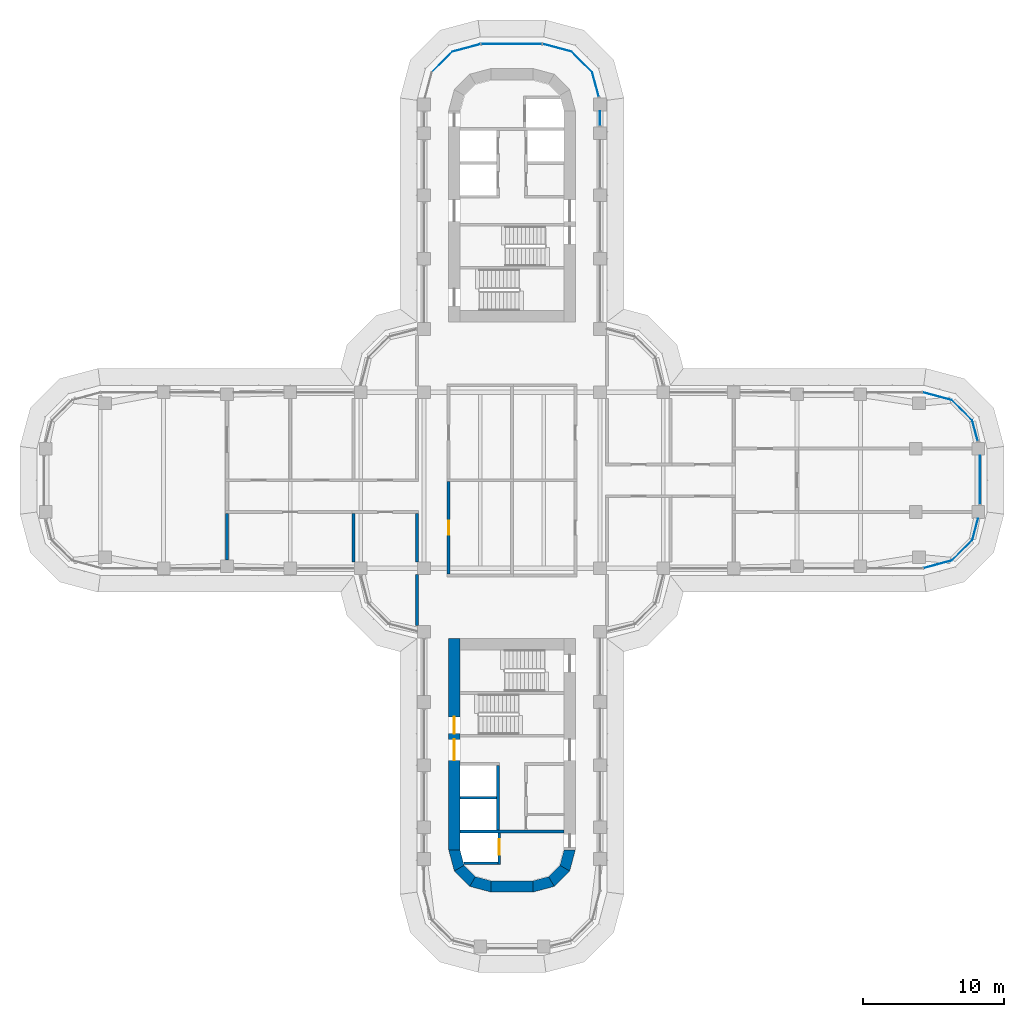
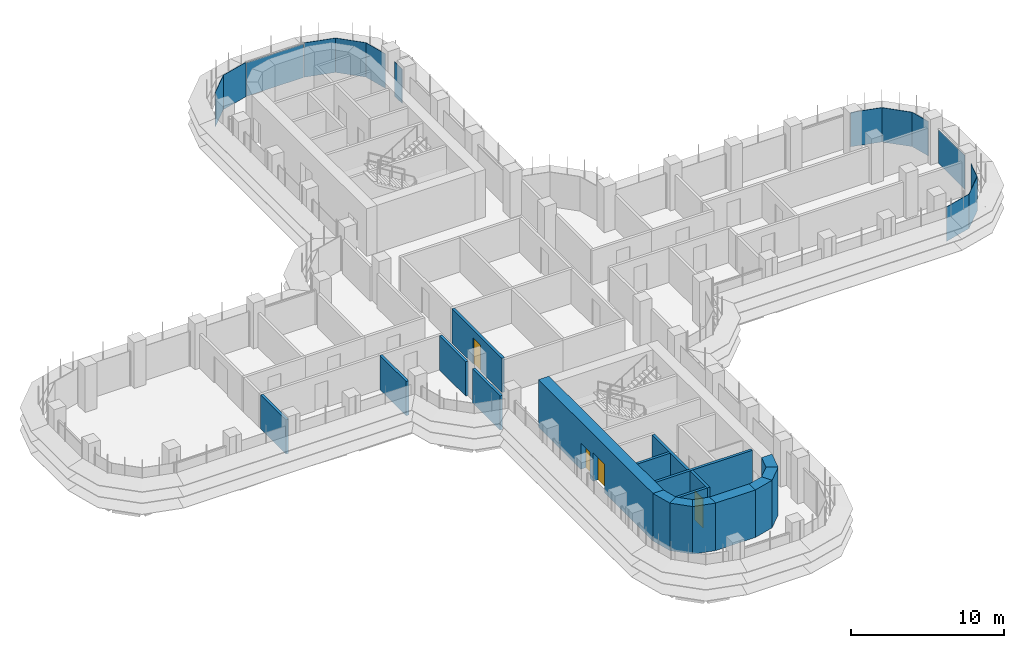
# One storey, part 15 of 22: 18 walls, 14 plates, 4 doors, 4 openings, 14 elements without a shape of their own.
"""IFC4 building model written with IfcOpenShell, lengths in metres."""

from ifc_helpers import new_model, si_unit, direction, frame, frame_2d, origin, place, context, subcontext, project, spatial, polyline, rectangle, outline, extrude, source, transform, mapped, material, layer, layer_set, type_object, element, fill, aggregate, save


model = new_model("IFC4")

# Units and contexts
model_context = context("Model", 3, precision=1e-05, world=origin(), true_north=direction((0.0, 1.0)))
body_context = subcontext(model_context, "Body", "Model", "MODEL_VIEW")
ifc_project = project(units=[si_unit("LENGTHUNIT", "METRE"), si_unit("AREAUNIT", "SQUARE_METRE"), si_unit("VOLUMEUNIT", "CUBIC_METRE"), si_unit("PLANEANGLEUNIT", "RADIAN"), si_unit("MASSUNIT", "GRAM", prefix="KILO")], contexts=[model_context])

# Site, building, storey
site_placement = place(None, origin())
site = spatial("IfcSite", under=ifc_project, at=site_placement, CompositionType="ELEMENT")
building_placement = place(site_placement, origin())
building = spatial("IfcBuilding", under=site, at=building_placement, Name="Zarbagh Exchange Tower", CompositionType="ELEMENT")
storey_placement = place(building_placement, frame((0.0, 0.0, 109.39990234375)))
storey = spatial("IfcBuildingStorey", under=building, at=storey_placement, Name="L25", CompositionType="ELEMENT", Elevation=109.39990234375)

# Curtain wall, plate
ifc_material_1 = material(Name="Anodised aluminium frame and glazing", Category="aluminium")
curtain_wall_type = type_object("IfcCurtainWallType", Name="CWA Ribbon glazing, lower zones", PredefinedType="NOTDEFINED", material=ifc_material_1)
curtain_wall_1_placement = place(storey_placement, origin())
curtain_wall_1 = element("IfcCurtainWall", 1, at=curtain_wall_1_placement, inside=storey, type_object=curtain_wall_type, Name="CWA13 curtain wall", PredefinedType="NOTDEFINED")
ifc_material_2 = material(Name="Low-e double glazed unit, 6+12+6 mm")
ifc_layer_1 = layer(ifc_material_2, 0.028076171875)
ifc_layer_set_1 = layer_set([ifc_layer_1], Name="PAA Glazing panel, Low-e double glazed unit, 6+12+6 mm")
plate_type = type_object("IfcPlateType", Name="PAA Glazing panel, Low-e double glazed unit, 6+12+6 mm", PredefinedType="CURTAIN_PANEL", material=ifc_layer_set_1)
shared_shape_1 = source(origin(), body_context, "Body", "SweptSolid", [
    extrude(outline(polyline([(0.0, -0.013916015625), (1.494140625, -0.013916015625), (1.494140625, 0.013916015625), (0.0, 0.013916015625), (0.0, -0.013916015625)])), origin(), (0.0, 0.0, 1.0), 2.75),
])
placement = place(storey_placement, origin())
plate_1 = element("IfcPlate", 2, at=placement, type_object=plate_type, Name="CWA13 glazing panel 1.1", PredefinedType="CURTAIN_PANEL", context=body_context, shape_type="MappedRepresentation", body=[
    mapped(shared_shape_1, transform((33.08544921875, 2.7978515625, 0.0), x_axis=(-0.258824779902, 0.965924289636, 0.0), y_axis=(-0.965924289636, -0.258824779902, 0.0), z_axis=(0.0, 0.0, 1.0))),
])
aggregate(curtain_wall_1, [plate_1])

curtain_wall_2_placement = place(storey_placement, origin())
curtain_wall_2 = element("IfcCurtainWall", 3, at=curtain_wall_2_placement, inside=storey, type_object=curtain_wall_type, Name="CWA10 curtain wall", PredefinedType="NOTDEFINED")
shared_shape_2 = source(origin(), body_context, "Body", "SweptSolid", [
    extrude(outline(polyline([(0.0, -0.013916015625), (2.061279296875, -0.013916015625), (2.061279296875, 0.013916015625), (0.0, 0.013916015625), (0.0, -0.013916015625)])), origin(), (0.0, 0.0, 1.0), 2.75),
])
plate_2 = element("IfcPlate", 4, at=placement, type_object=plate_type, Name="CWA10 glazing panel 1.1", PredefinedType="CURTAIN_PANEL", context=body_context, shape_type="MappedRepresentation", body=[
    mapped(shared_shape_2, transform((31.2412109375, -5.69873046875, 0.0), x_axis=(0.707106781187, 0.707106781187, 0.0), y_axis=(-0.707106781187, 0.707106781187, 0.0), z_axis=(0.0, 0.0, 1.0))),
])
aggregate(curtain_wall_2, [plate_2])

curtain_wall_3_placement = place(storey_placement, origin())
curtain_wall_3 = element("IfcCurtainWall", 5, at=curtain_wall_3_placement, inside=storey, type_object=curtain_wall_type, Name="CWA14 curtain wall", PredefinedType="NOTDEFINED")
plate_3 = element("IfcPlate", 6, at=placement, type_object=plate_type, Name="CWA14 glazing panel 1.1", PredefinedType="CURTAIN_PANEL", context=body_context, shape_type="MappedRepresentation", body=[
    mapped(shared_shape_2, transform((32.69873046875, 4.2412109375, 0.0), x_axis=(-0.707106781187, 0.707106781187, 0.0), y_axis=(-0.707106781187, -0.707106781187, 0.0), z_axis=(0.0, 0.0, 1.0))),
])
aggregate(curtain_wall_3, [plate_3])

curtain_wall_4_placement = place(storey_placement, origin())
curtain_wall_4 = element("IfcCurtainWall", 7, at=curtain_wall_4_placement, inside=storey, type_object=curtain_wall_type, Name="CWA51 curtain wall", PredefinedType="NOTDEFINED")
plate_4 = element("IfcPlate", 8, at=placement, type_object=plate_type, Name="CWA51 glazing panel 1.1", PredefinedType="CURTAIN_PANEL", context=body_context, shape_type="MappedRepresentation", body=[
    mapped(shared_shape_2, transform((5.69873046875, 28.9912109375, 0.0), x_axis=(-0.707106781187, 0.707106781187, 0.0), y_axis=(-0.707106781187, -0.707106781187, 0.0), z_axis=(0.0, 0.0, 1.0))),
])
aggregate(curtain_wall_4, [plate_4])

curtain_wall_5_placement = place(storey_placement, origin())
curtain_wall_5 = element("IfcCurtainWall", 9, at=curtain_wall_5_placement, inside=storey, type_object=curtain_wall_type, Name="CWA54 curtain wall", PredefinedType="NOTDEFINED")
plate_5 = element("IfcPlate", 10, at=placement, type_object=plate_type, Name="CWA54 glazing panel 1.1", PredefinedType="CURTAIN_PANEL", context=body_context, shape_type="MappedRepresentation", body=[
    mapped(shared_shape_2, transform((-4.2412109375, 30.44873046875, 0.0), x_axis=(-0.707106781187, -0.707106781187, 0.0), y_axis=(0.707106781187, -0.707106781187, 0.0), z_axis=(0.0, 0.0, 1.0))),
])
aggregate(curtain_wall_5, [plate_5])

curtain_wall_6_placement = place(storey_placement, origin())
curtain_wall_6 = element("IfcCurtainWall", 11, at=curtain_wall_6_placement, inside=storey, type_object=curtain_wall_type, Name="CWA15 curtain wall", PredefinedType="NOTDEFINED")
shared_shape_3 = source(origin(), body_context, "Body", "SweptSolid", [
    extrude(outline(polyline([(0.0, -0.013916015625), (2.129638671875, -0.013916015625), (2.129638671875, 0.013916015625), (0.0, 0.013916015625), (0.0, -0.013916015625)])), origin(), (0.0, 0.0, 1.0), 2.75),
])
plate_6 = element("IfcPlate", 12, at=placement, type_object=plate_type, Name="CWA15 glazing panel 1.1", PredefinedType="CURTAIN_PANEL", context=body_context, shape_type="MappedRepresentation", body=[
    mapped(shared_shape_3, transform((31.2412109375, 5.69873046875, 0.0), x_axis=(-0.965924289636, 0.258824779902, 0.0), y_axis=(-0.258824779902, -0.965924289636, 0.0), z_axis=(0.0, 0.0, 1.0))),
])
aggregate(curtain_wall_6, [plate_6])

curtain_wall_7_placement = place(storey_placement, origin())
curtain_wall_7 = element("IfcCurtainWall", 13, at=curtain_wall_7_placement, inside=storey, type_object=curtain_wall_type, Name="CWA52 curtain wall", PredefinedType="NOTDEFINED")
plate_7 = element("IfcPlate", 14, at=placement, type_object=plate_type, Name="CWA52 glazing panel 1.1", PredefinedType="CURTAIN_PANEL", context=body_context, shape_type="MappedRepresentation", body=[
    mapped(shared_shape_3, transform((4.2412109375, 30.44873046875, 0.0), x_axis=(-0.965924289636, 0.258824779902, 0.0), y_axis=(-0.258824779902, -0.965924289636, 0.0), z_axis=(0.0, 0.0, 1.0))),
])
aggregate(curtain_wall_7, [plate_7])

curtain_wall_8_placement = place(storey_placement, origin())
curtain_wall_8 = element("IfcCurtainWall", 15, at=curtain_wall_8_placement, inside=storey, type_object=curtain_wall_type, Name="CWA09 curtain wall", PredefinedType="NOTDEFINED")
shared_shape_4 = source(origin(), body_context, "Body", "SweptSolid", [
    extrude(outline(polyline([(0.0, -0.013916015625), (2.069580078125, -0.013916015625), (2.069580078125, 0.013916015625), (0.0, 0.013916015625), (0.0, -0.013916015625)])), origin(), (0.0, 0.0, 1.0), 2.75),
])
plate_8 = element("IfcPlate", 16, at=placement, type_object=plate_type, Name="CWA09 glazing panel 1.1", PredefinedType="CURTAIN_PANEL", context=body_context, shape_type="MappedRepresentation", body=[
    mapped(shared_shape_4, transform((29.2421875, -6.234375, 0.0), x_axis=(0.965924289636, 0.258824779902, 0.0), y_axis=(-0.258824779902, 0.965924289636, 0.0), z_axis=(0.0, 0.0, 1.0))),
])
aggregate(curtain_wall_8, [plate_8])

curtain_wall_9_placement = place(storey_placement, origin())
curtain_wall_9 = element("IfcCurtainWall", 17, at=curtain_wall_9_placement, inside=storey, type_object=curtain_wall_type, Name="CWA53 curtain wall", PredefinedType="NOTDEFINED")
plate_9 = element("IfcPlate", 18, at=placement, type_object=plate_type, Name="CWA53 glazing panel 1.1", PredefinedType="CURTAIN_PANEL", context=body_context, shape_type="MappedRepresentation", body=[
    mapped(shared_shape_4, transform((-2.2421875, 30.984375, 0.0), x_axis=(-0.965924289636, -0.258824779902, 0.0), y_axis=(0.258824779902, -0.965924289636, 0.0), z_axis=(0.0, 0.0, 1.0))),
])
aggregate(curtain_wall_9, [plate_9])

curtain_wall_10_placement = place(storey_placement, origin())
curtain_wall_10 = element("IfcCurtainWall", 19, at=curtain_wall_10_placement, inside=storey, type_object=curtain_wall_type, Name="CWA11 curtain wall", PredefinedType="NOTDEFINED")
shared_shape_5 = source(origin(), body_context, "Body", "SweptSolid", [
    extrude(outline(polyline([(0.0, -0.013916015625), (1.55419921875, -0.013916015625), (1.55419921875, 0.013916015625), (0.0, 0.013916015625), (0.0, -0.013916015625)])), origin(), (0.0, 0.0, 1.0), 2.75),
])
plate_10 = element("IfcPlate", 20, at=placement, type_object=plate_type, Name="CWA11 glazing panel 1.1", PredefinedType="CURTAIN_PANEL", context=body_context, shape_type="MappedRepresentation", body=[
    mapped(shared_shape_5, transform((32.69873046875, -4.2412109375, 0.0), x_axis=(0.258824779902, 0.965924289636, 0.0), y_axis=(-0.965924289636, 0.258824779902, 0.0), z_axis=(0.0, 0.0, 1.0))),
])
aggregate(curtain_wall_10, [plate_10])

curtain_wall_11_placement = place(storey_placement, origin())
curtain_wall_11 = element("IfcCurtainWall", 21, at=curtain_wall_11_placement, inside=storey, type_object=curtain_wall_type, Name="CWA12 curtain wall", PredefinedType="NOTDEFINED")
shared_shape_6 = source(origin(), body_context, "Body", "SweptSolid", [
    extrude(outline(polyline([(0.0, -0.013916015625), (3.4599609375, -0.013916015625), (3.4599609375, 0.013916015625), (0.0, 0.013916015625), (0.0, -0.013916015625)])), origin(), (0.0, 0.0, 1.0), 2.68994140625),
])
plate_11 = element("IfcPlate", 22, at=placement, type_object=plate_type, Name="CWA12 glazing panel 1.1", PredefinedType="CURTAIN_PANEL", context=body_context, shape_type="MappedRepresentation", body=[
    mapped(shared_shape_6, transform((33.25, -1.699951171875, 0.0), x_axis=(0.0, 1.0, 0.0), y_axis=(-1.0, 0.0, 0.0), z_axis=(0.0, 0.0, 1.0))),
])
aggregate(curtain_wall_11, [plate_11])

curtain_wall_12_placement = place(storey_placement, origin())
curtain_wall_12 = element("IfcCurtainWall", 23, at=curtain_wall_12_placement, inside=storey, type_object=curtain_wall_type, Name="CWA49 curtain wall", PredefinedType="NOTDEFINED")
shared_shape_7 = source(origin(), body_context, "Body", "SweptSolid", [
    extrude(outline(polyline([(0.0, -0.013916015625), (1.010009765625, -0.013916015625), (1.010009765625, 0.013916015625), (0.0, 0.013916015625), (0.0, -0.013916015625)])), origin(), (0.0, 0.0, 1.0), 2.75),
])
plate_12 = element("IfcPlate", 24, at=placement, type_object=plate_type, Name="CWA49 glazing panel 4.1", PredefinedType="CURTAIN_PANEL", context=body_context, shape_type="MappedRepresentation", body=[
    mapped(shared_shape_7, transform((6.25, 25.199951171875, 0.0), x_axis=(0.0, 1.0, 0.0), y_axis=(-1.0, 0.0, 0.0), z_axis=(0.0, 0.0, 1.0))),
])
aggregate(curtain_wall_12, [plate_12])

curtain_wall_13_placement = place(storey_placement, origin())
curtain_wall_13 = element("IfcCurtainWall", 25, at=curtain_wall_13_placement, inside=storey, type_object=curtain_wall_type, Name="CWA50 curtain wall", PredefinedType="NOTDEFINED")
shared_shape_8 = source(origin(), body_context, "Body", "SweptSolid", [
    extrude(outline(polyline([(0.0, -0.013916015625), (1.8046875, -0.013916015625), (1.8046875, 0.013916015625), (0.0, 0.013916015625), (0.0, -0.013916015625)])), origin(), (0.0, 0.0, 1.0), 2.75),
])
plate_13 = element("IfcPlate", 26, at=placement, type_object=plate_type, Name="CWA50 glazing panel 1.1", PredefinedType="CURTAIN_PANEL", context=body_context, shape_type="MappedRepresentation", body=[
    mapped(shared_shape_8, transform((6.166015625, 27.248046875, 0.0), x_axis=(-0.258824779902, 0.965924289636, 0.0), y_axis=(-0.965924289636, -0.258824779902, 0.0), z_axis=(0.0, 0.0, 1.0))),
])
aggregate(curtain_wall_13, [plate_13])

curtain_wall_14_placement = place(storey_placement, origin())
curtain_wall_14 = element("IfcCurtainWall", 27, at=curtain_wall_14_placement, inside=storey, type_object=curtain_wall_type, Name="CWA57 curtain wall", PredefinedType="NOTDEFINED")
shared_shape_9 = source(origin(), body_context, "Body", "SweptSolid", [
    extrude(outline(polyline([(0.0, -0.013916015625), (4.308349609375, -0.013916015625), (4.308349609375, 0.013916015625), (0.0, 0.013916015625), (0.0, -0.013916015625)])), origin(), (0.0, 0.0, 1.0), 2.68994140625),
])
plate_14 = element("IfcPlate", 28, at=placement, type_object=plate_type, Name="CWA57 glazing panel 1.1", PredefinedType="CURTAIN_PANEL", context=body_context, shape_type="MappedRepresentation", body=[
    mapped(shared_shape_9, transform((2.124267578125, 31.0, 0.0), x_axis=(-1.0, 0.0, 0.0), y_axis=(0.0, -1.0, 0.0), z_axis=(0.0, 0.0, 1.0))),
])
aggregate(curtain_wall_14, [plate_14])

# Wall, opening, door
ifc_material_3 = material(Name="Fire-rated plasterboard partition")
ifc_layer_2 = layer(ifc_material_3, 0.199951171875)
ifc_layer_set_2 = layer_set([ifc_layer_2], Name="RATED PARTITION 200")
wall_type_1 = type_object("IfcWallType", Name="RATED PARTITION 200", PredefinedType="PARTITIONING", material=ifc_layer_set_2)
wall_1_placement = place(storey_placement, frame((-4.5, -0.10009765625, 0.0), z_axis=(0.0, 0.0, 1.0), x_axis=(0.0, -1.0, 0.0)))
wall_1 = element("IfcWall", 29, at=wall_1_placement, inside=storey, type_object=wall_type_1, Name="Partition W-902", PredefinedType="PARTITIONING", context=body_context, shape_type="SweptSolid", body=[
    extrude(rectangle(XDim=6.5498046875, YDim=0.199951171875, at=frame_2d((3.27490234375, 0.0))), origin(), (0.0, 0.0, 1.0), 2.73828125),
])
opening_1_placement = place(wall_1_placement, frame((2.77490234375, 0.0, 0.0)))
opening_1 = element("IfcOpeningElement", 30, at=opening_1_placement, cuts=wall_1, Name="Opening D-904", PredefinedType="OPENING", context=body_context, shape_type="SweptSolid", body=[
    extrude(rectangle(XDim=1.0, YDim=2.10009765625, at=frame_2d((0.5, 1.050048828125))), frame((0.0, 0.10986328125, 0.0), z_axis=(0.0, -1.0, 0.0), x_axis=(1.0, 0.0, 0.0)), (0.0, 0.0, 1.0), 0.219970703125),
])
ifc_material_4 = material(Name="Steel door set", Category="steel")
door_type_1 = type_object("IfcDoorType", Name="FIRE DOOR 1000 X 2100 FD30S", OperationType="NOTDEFINED", PredefinedType="DOOR", material=ifc_material_4)
door_1_placement = place(opening_1_placement, origin())
door_1 = element("IfcDoor", 31, at=door_1_placement, inside=storey, type_object=door_type_1, Name="Door D-904", OperationType="SINGLE_SWING_LEFT", OverallHeight=2.10009765625, OverallWidth=1.0, PredefinedType="DOOR", context=body_context, shape_type="SweptSolid", body=[
    extrude(rectangle(XDim=1.0, YDim=2.10009765625, at=frame_2d((0.5, 1.050048828125))), frame((0.0, 0.02490234375, 0.0), z_axis=(0.0, -1.0, 0.0), x_axis=(1.0, 0.0, 0.0)), (0.0, 0.0, 1.0), 0.050048828125),
])
fill(opening_1, door_1)

# Walls
wall_2_placement = place(storey_placement, frame((-6.75, -10.300048828125, 0.0), z_axis=(0.0, 0.0, 1.0), x_axis=(0.0, 1.0, 0.0)))
element("IfcWall", 32, at=wall_2_placement, inside=storey, type_object=wall_type_1, Name="Partition W-905", PredefinedType="PARTITIONING", context=body_context, shape_type="SweptSolid", body=[
    extrude(rectangle(XDim=3.60009765625, YDim=0.199951171875, at=frame_2d((1.800048828125, 0.0))), origin(), (0.0, 0.0, 1.0), 2.73828125),
])
for number, where, z_axis, x_axis, name in (
    (33, (-6.75, -5.800048828125, 0.0), (0.0, 0.0, 1.0), (0.0, 1.0, 0.0), "Partition W-906"),
    (34, (-11.25, -5.800048828125, 0.0), (0.0, 0.0, 1.0), (0.0, 1.0, 0.0), "Partition W-945"),
):
    element("IfcWall", number, at=place(storey_placement, frame(where, z_axis=z_axis, x_axis=x_axis)), inside=storey, type_object=wall_type_1, Name=name, PredefinedType="PARTITIONING", context=body_context, shape_type="SweptSolid", body=[
        extrude(rectangle(XDim=3.449951171875, YDim=0.199951171875, at=frame_2d((1.72509765625, 0.0))), origin(), (0.0, 0.0, 1.0), 2.73828125),
    ])
wall_3_placement = place(storey_placement, frame((-20.25, -5.659912109375, 0.0), z_axis=(0.0, 0.0, 1.0), x_axis=(0.0, 1.0, 0.0)))
element("IfcWall", 35, at=wall_3_placement, inside=storey, type_object=wall_type_1, Name="Partition W-948", PredefinedType="PARTITIONING", context=body_context, shape_type="SweptSolid", body=[
    extrude(rectangle(XDim=3.309814453125, YDim=0.199951171875, at=frame_2d((1.65478515625, 0.0))), origin(), (0.0, 0.0, 1.0), 2.73828125),
])
ifc_material_5 = material(Name="Concrete C60/75", Category="concrete")
ifc_layer_3 = layer(ifc_material_5, 0.800048828125)
ifc_layer_set_3 = layer_set([ifc_layer_3], Name="RC core corner wall 800 C60/75")
wall_type_2 = type_object("IfcWallType", Name="RC core corner wall 800 C60/75", PredefinedType="SHEAR", material=ifc_layer_set_3)
wall_4_placement = place(storey_placement, origin())
element("IfcWall", 36, at=wall_4_placement, inside=storey, type_object=wall_type_2, Name="CW4 core S corner W", PredefinedType="SHEAR", context=body_context, shape_type="SweptSolid", body=[
    extrude(outline(polyline([(-4.5, -26.25), (-4.09814453125, -27.75), (-3.4052734375, -27.35009765625), (-3.699951171875, -26.25), (-4.5, -26.25)])), origin(), (0.0, 0.0, 1.0), 3.800048828125),
])
wall_5_placement = place(storey_placement, origin())
element("IfcWall", 37, at=wall_5_placement, inside=storey, type_object=wall_type_2, Name="CW4 core S corner W", PredefinedType="SHEAR", context=body_context, shape_type="SweptSolid", body=[
    extrude(outline(polyline([(-4.09814453125, -27.75), (-3.0, -28.84814453125), (-2.60009765625, -28.1552734375), (-3.4052734375, -27.35009765625), (-4.09814453125, -27.75)])), origin(), (0.0, 0.0, 1.0), 3.800048828125),
])
wall_6_placement = place(storey_placement, origin())
element("IfcWall", 38, at=wall_6_placement, inside=storey, type_object=wall_type_2, Name="CW4 core S corner W", PredefinedType="SHEAR", context=body_context, shape_type="SweptSolid", body=[
    extrude(outline(polyline([(-3.0, -28.84814453125), (-1.5, -29.25), (-1.5, -28.449951171875), (-2.60009765625, -28.1552734375), (-3.0, -28.84814453125)])), origin(), (0.0, 0.0, 1.0), 3.800048828125),
])
wall_7_placement = place(storey_placement, origin())
element("IfcWall", 39, at=wall_7_placement, inside=storey, type_object=wall_type_2, Name="CW4 core S corner E", PredefinedType="SHEAR", context=body_context, shape_type="SweptSolid", body=[
    extrude(outline(polyline([(4.5, -26.25), (4.09814453125, -27.75), (3.4052734375, -27.35009765625), (3.699951171875, -26.25), (4.5, -26.25)])), origin(), (0.0, 0.0, 1.0), 3.800048828125),
])
wall_8_placement = place(storey_placement, origin())
element("IfcWall", 40, at=wall_8_placement, inside=storey, type_object=wall_type_2, Name="CW4 core S corner E", PredefinedType="SHEAR", context=body_context, shape_type="SweptSolid", body=[
    extrude(outline(polyline([(4.09814453125, -27.75), (3.0, -28.84814453125), (2.60009765625, -28.1552734375), (3.4052734375, -27.35009765625), (4.09814453125, -27.75)])), origin(), (0.0, 0.0, 1.0), 3.800048828125),
])
wall_9_placement = place(storey_placement, origin())
element("IfcWall", 41, at=wall_9_placement, inside=storey, type_object=wall_type_2, Name="CW4 core S corner E", PredefinedType="SHEAR", context=body_context, shape_type="SweptSolid", body=[
    extrude(outline(polyline([(3.0, -28.84814453125), (1.5, -29.25), (1.5, -28.449951171875), (2.60009765625, -28.1552734375), (3.0, -28.84814453125)])), origin(), (0.0, 0.0, 1.0), 3.800048828125),
])

# Wall, openings, doors
ifc_layer_4 = layer(ifc_material_5, 0.800048828125)
ifc_layer_set_4 = layer_set([ifc_layer_4], Name="RC core wall 800 C60/75")
wall_type_3 = type_object("IfcWallType", Name="RC core wall 800 C60/75", PredefinedType="SHEAR", material=ifc_layer_set_4)
wall_10_placement = place(storey_placement, frame((-4.10009765625, -11.25, 0.0), z_axis=(0.0, 0.0, 1.0), x_axis=(0.0, -1.0, 0.0)))
wall_10 = element("IfcWall", 42, at=wall_10_placement, inside=storey, type_object=wall_type_3, Name="CW3 core S W", PredefinedType="SHEAR", context=body_context, shape_type="SweptSolid", body=[
    extrude(rectangle(XDim=15.0, YDim=0.800048828125, at=frame_2d((7.5, 0.0))), origin(), (0.0, 0.0, 1.0), 3.800048828125),
])
opening_2_placement = place(wall_10_placement, frame((7.14990234375, 0.0, 0.0)))
opening_2 = element("IfcOpeningElement", 43, at=opening_2_placement, cuts=wall_10, Name="Opening CD1-1500", PredefinedType="OPENING", context=body_context, shape_type="SweptSolid", body=[
    extrude(rectangle(XDim=1.5, YDim=2.300048828125, at=frame_2d((0.75, 1.14990234375))), frame((0.0, 0.409912109375, 0.0), z_axis=(0.0, -1.0, 0.0), x_axis=(1.0, 0.0, 0.0)), (0.0, 0.0, 1.0), 0.820068359375),
])
opening_3_placement = place(wall_10_placement, frame((5.550048828125, 0.0, 0.0)))
opening_3 = element("IfcOpeningElement", 44, at=opening_3_placement, cuts=wall_10, Name="Opening SD1-1200", PredefinedType="OPENING", context=body_context, shape_type="SweptSolid", body=[
    extrude(rectangle(XDim=1.199951171875, YDim=2.10009765625, at=frame_2d((0.60009765625, 1.050048828125))), frame((0.0, 0.409912109375, 0.0), z_axis=(0.0, -1.0, 0.0), x_axis=(1.0, 0.0, 0.0)), (0.0, 0.0, 1.0), 0.820068359375),
])
ifc_material_6 = material(Name="Steel", Category="steel")
door_type_2 = type_object("IfcDoorType", Name="Exit stair door 1200 x 2100", OperationType="NOTDEFINED", PredefinedType="DOOR", material=ifc_material_6)
door_2_placement = place(opening_3_placement, origin())
door_2 = element("IfcDoor", 45, at=door_2_placement, inside=storey, type_object=door_type_2, Name="South core stair door ST1", OperationType="SINGLE_SWING_RIGHT", OverallHeight=2.10009765625, OverallWidth=1.199951171875, PredefinedType="DOOR", context=body_context, shape_type="SweptSolid", body=[
    extrude(rectangle(XDim=1.199951171875, YDim=2.10009765625, at=frame_2d((0.60009765625, 1.050048828125))), frame((0.0, 0.02490234375, 0.0), z_axis=(0.0, -1.0, 0.0), x_axis=(1.0, 0.0, 0.0)), (0.0, 0.0, 1.0), 0.050048828125),
])
fill(opening_3, door_2)
door_type_3 = type_object("IfcDoorType", Name="Lift lobby double door 1500 x 2300", OperationType="NOTDEFINED", PredefinedType="DOOR", material=ifc_material_6)
door_3_placement = place(opening_2_placement, origin())
door_3 = element("IfcDoor", 46, at=door_3_placement, inside=storey, type_object=door_type_3, Name="South core lift lobby door LOBBY-E", OperationType="DOUBLE_DOOR_SINGLE_SWING", OverallHeight=2.300048828125, OverallWidth=1.5, PredefinedType="DOOR", context=body_context, shape_type="SweptSolid", body=[
    extrude(rectangle(XDim=1.5, YDim=2.300048828125, at=frame_2d((0.75, 1.14990234375))), frame((0.0, 0.02490234375, 0.0), z_axis=(0.0, -1.0, 0.0), x_axis=(1.0, 0.0, 0.0)), (0.0, 0.0, 1.0), 0.050048828125),
])
fill(opening_2, door_3)

# Walls
wall_11_placement = place(storey_placement, frame((-1.5, -28.85009765625, 0.0), z_axis=(0.0, 0.0, 1.0), x_axis=(1.0, 0.0, 0.0)))
element("IfcWall", 47, at=wall_11_placement, inside=storey, type_object=wall_type_3, Name="CW3 core S outer end", PredefinedType="SHEAR", context=body_context, shape_type="SweptSolid", body=[
    extrude(rectangle(XDim=3.0, YDim=0.800048828125, at=frame_2d((1.5, 0.0))), origin(), (0.0, 0.0, 1.0), 3.800048828125),
])
ifc_material_7 = material(Name="Dense blockwork", Category="masonry")
ifc_layer_5 = layer(ifc_material_7, 0.199951171875)
ifc_layer_set_5 = layer_set([ifc_layer_5], Name="Shaft wall 200 mm blockwork")
wall_type_4 = type_object("IfcWallType", Name="Shaft wall 200 mm blockwork", PredefinedType="PARTITIONING", material=ifc_layer_set_5)
wall_12_placement = place(storey_placement, frame((-1.0, -24.85009765625, 0.0), z_axis=(0.0, 0.0, 1.0), x_axis=(0.0, 1.0, 0.0)))
element("IfcWall", 48, at=wall_12_placement, inside=storey, type_object=wall_type_4, Name="South core shaft wall LW-E", PredefinedType="PARTITIONING", context=body_context, shape_type="SweptSolid", body=[
    extrude(rectangle(XDim=4.60009765625, YDim=0.199951171875, at=frame_2d((2.300048828125, 0.0))), origin(), (0.0, 0.0, 1.0), 3.650146484375),
])
wall_13_placement = place(storey_placement, frame((-1.10009765625, -22.550048828125, 0.0), z_axis=(0.0, 0.0, 1.0), x_axis=(-1.0, 0.0, 0.0)))
element("IfcWall", 49, at=wall_13_placement, inside=storey, type_object=wall_type_4, Name="South core shaft wall TR-E", PredefinedType="PARTITIONING", context=body_context, shape_type="SweptSolid", body=[
    extrude(rectangle(XDim=2.599853515625, YDim=0.199951171875, at=frame_2d((1.2998046875, 0.0))), origin(), (0.0, 0.0, 1.0), 3.650146484375),
])
ifc_material_8 = material(Name="Concrete C40/50", Category="concrete")
ifc_layer_6 = layer(ifc_material_8, 0.199951171875)
ifc_layer_set_6 = layer_set([ifc_layer_6], Name="Stair enclosure wall 200 mm RC C40/50")
wall_type_5 = type_object("IfcWallType", Name="Stair enclosure wall 200 mm RC C40/50", PredefinedType="SHEAR", material=ifc_layer_set_6)
wall_14_placement = place(storey_placement, frame((3.699951171875, -24.949951171875, 0.0), z_axis=(0.0, 0.0, 1.0), x_axis=(-1.0, 0.0, 0.0)))
element("IfcWall", 50, at=wall_14_placement, inside=storey, type_object=wall_type_5, Name="South core lift shaft wall FFA", PredefinedType="SHEAR", context=body_context, shape_type="SweptSolid", body=[
    extrude(rectangle(XDim=7.39990234375, YDim=0.199951171875, at=frame_2d((3.699951171875, 0.0))), origin(), (0.0, 0.0, 1.0), 3.650146484375),
])

# Wall, opening, door
wall_15_placement = place(storey_placement, frame((-0.89990234375, -27.300048828125, 0.0), z_axis=(0.0, 0.0, 1.0), x_axis=(0.0, 1.0, 0.0)))
wall_15 = element("IfcWall", 51, at=wall_15_placement, inside=storey, type_object=wall_type_5, Name="South core lift shaft wall FFL", PredefinedType="SHEAR", context=body_context, shape_type="SweptSolid", body=[
    extrude(rectangle(XDim=2.25, YDim=0.199951171875, at=frame_2d((1.125, 0.0))), origin(), (0.0, 0.0, 1.0), 3.650146484375),
])
opening_4_placement = place(wall_15_placement, frame((0.699951171875, 0.0, 0.0)))
opening_4 = element("IfcOpeningElement", 52, at=opening_4_placement, cuts=wall_15, Name="Opening LD-1100", PredefinedType="OPENING", context=body_context, shape_type="SweptSolid", body=[
    extrude(rectangle(XDim=1.10009765625, YDim=2.300048828125, at=frame_2d((0.550048828125, 1.14990234375))), frame((0.0, 0.10986328125, 0.0), z_axis=(0.0, -1.0, 0.0), x_axis=(1.0, 0.0, 0.0)), (0.0, 0.0, 1.0), 0.219970703125),
])
ifc_material_9 = material(Name="Stainless steel", Category="steel")
door_type_4 = type_object("IfcDoorType", Name="Lift landing door 1100 x 2300", OperationType="NOTDEFINED", PredefinedType="DOOR", material=ifc_material_9)
door_4_placement = place(opening_4_placement, origin())
door_4 = element("IfcDoor", 53, at=door_4_placement, inside=storey, type_object=door_type_4, Name="South core lift landing door LD-F", OperationType="DOUBLE_DOOR_SLIDING", OverallHeight=2.300048828125, OverallWidth=1.10009765625, PredefinedType="DOOR", context=body_context, shape_type="SweptSolid", body=[
    extrude(rectangle(XDim=1.10009765625, YDim=2.300048828125, at=frame_2d((0.550048828125, 1.14990234375))), frame((0.0, 0.02490234375, 0.0), z_axis=(0.0, -1.0, 0.0), x_axis=(1.0, 0.0, 0.0)), (0.0, 0.0, 1.0), 0.050048828125),
])
fill(opening_4, door_4)

# Wall
wall_16_placement = place(storey_placement, origin())
element("IfcWall", 54, at=wall_16_placement, inside=storey, type_object=wall_type_5, Name="South core lift shaft wall FFX", PredefinedType="SHEAR", context=body_context, shape_type="SweptSolid", body=[
    extrude(outline(polyline([(-1.0, -27.10009765625), (-3.444091796875, -27.10009765625), (-3.390380859375, -27.300048828125), (-1.0, -27.300048828125), (-1.0, -27.10009765625)])), origin(), (0.0, 0.0, 1.0), 3.650146484375),
])

save(model, "model.ifc")
